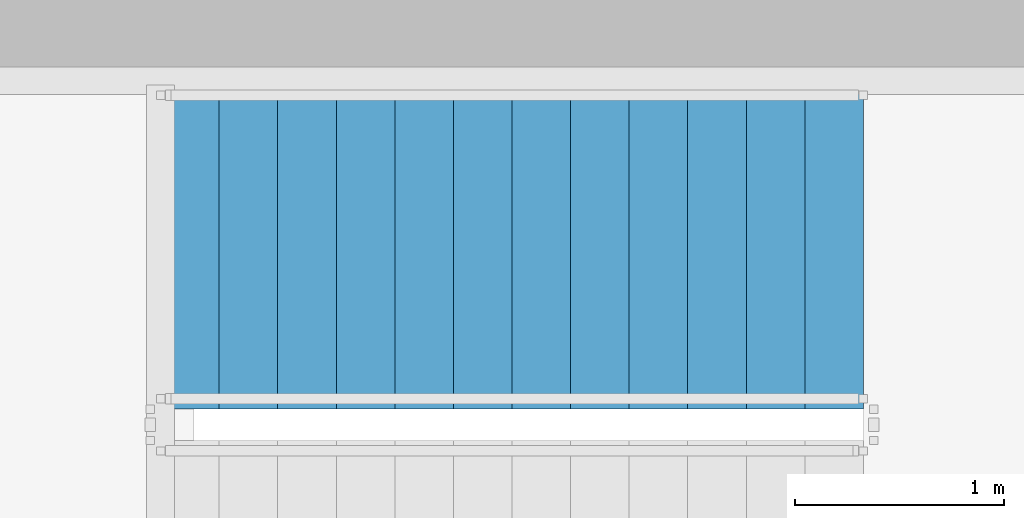
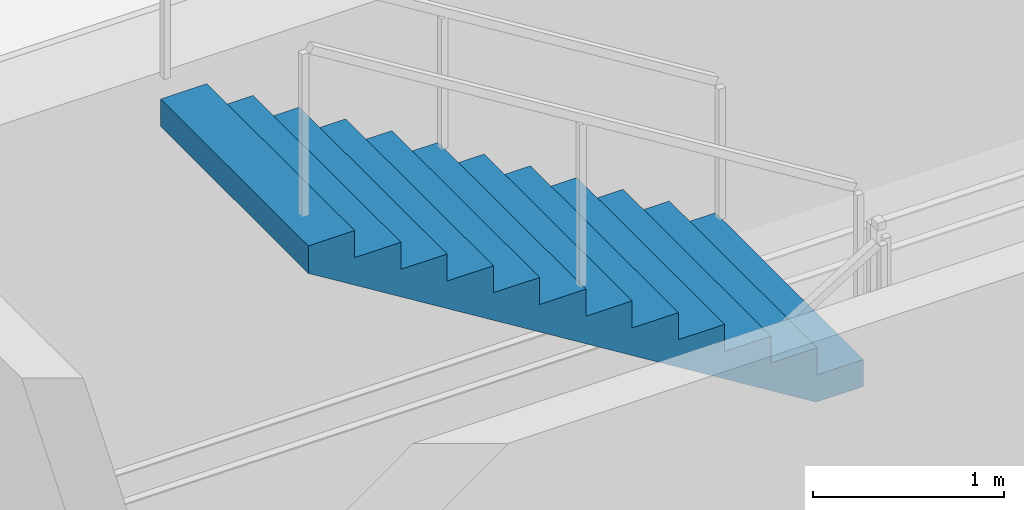
# One storey, part 13 of 14: 1 stair flight, 1 element without a shape of its own.
"""IFC4 building model written with IfcOpenShell, lengths in metres."""

from ifc_helpers import new_model, si_unit, direction, frame, origin, place, context, subcontext, project, spatial, polyline, outline, extrude, material, type_object, element, aggregate, save


model = new_model("IFC4")

# Units and contexts
model_context = context("Model", 3, precision=1e-05, world=origin(), true_north=direction((0.0, 1.0)))
body_context = subcontext(model_context, "Body", "Model", "MODEL_VIEW")
ifc_project = project(units=[si_unit("LENGTHUNIT", "METRE"), si_unit("AREAUNIT", "SQUARE_METRE"), si_unit("VOLUMEUNIT", "CUBIC_METRE"), si_unit("PLANEANGLEUNIT", "RADIAN"), si_unit("MASSUNIT", "GRAM", prefix="KILO")], contexts=[model_context])

# Site, building, storey
site_placement = place(None, origin())
site = spatial("IfcSite", under=ifc_project, at=site_placement, CompositionType="ELEMENT")
building_placement = place(site_placement, origin())
building = spatial("IfcBuilding", under=site, at=building_placement, Name="Kazma Halo Residences", CompositionType="ELEMENT")
storey_placement = place(building_placement, frame((0.0, 0.0, 351.5)))
storey = spatial("IfcBuildingStorey", under=building, at=storey_placement, Name="L88", CompositionType="ELEMENT", Elevation=351.5)

# Stair, stair flight
ifc_material = material(Name="Concrete C50/60", Category="concrete")
stair_type = type_object("IfcStairType", Name="STR-CRWN", PredefinedType="HALF_TURN_STAIR", material=ifc_material)
stair_placement = place(storey_placement, origin())
stair = element("IfcStair", 1, at=stair_placement, inside=storey, type_object=stair_type, Name="L88 Core exit stair ST-02", PredefinedType="HALF_TURN_STAIR")
stair_flight_type = type_object("IfcStairFlightType", Name="STR-CRWN-FLT", PredefinedType="STRAIGHT", material=ifc_material)
stair_flight_placement = place(storey_placement, frame((56.56005859375, 49.22509765625, 2.25), z_axis=(0.0, 0.0, 1.0), x_axis=(-1.0, 0.0, 0.0)))
stair_flight = element("IfcStairFlight", 2, at=stair_flight_placement, type_object=stair_flight_type, Name="ST-02 flight 2", NumberOfRisers=13, NumberOfTreads=12, PredefinedType="STRAIGHT", RiserHeight=0.173076923, TreadLength=0.28, context=body_context, shape_type="SweptSolid", body=[
    extrude(outline(polyline([(0.0, 0.0), (0.0, 0.173095703125), (0.280029296875, 0.173095703125), (0.280029296875, 0.34619140625), (0.56005859375, 0.34619140625), (0.56005859375, 0.519287109375), (0.840087890625, 0.519287109375), (0.840087890625, 0.6923828125), (1.1201171875, 0.6923828125), (1.1201171875, 0.865478515625), (1.39990234375, 0.865478515625), (1.39990234375, 1.03857421875), (1.679931640625, 1.03857421875), (1.679931640625, 1.21142578125), (1.9599609375, 1.21142578125), (1.9599609375, 1.384521484375), (2.239990234375, 1.384521484375), (2.239990234375, 1.5576171875), (2.52001953125, 1.5576171875), (2.52001953125, 1.730712890625), (2.800048828125, 1.730712890625), (2.800048828125, 1.90380859375), (3.080078125, 1.90380859375), (3.080078125, 2.076904296875), (3.360107421875, 2.076904296875), (3.360107421875, 2.25), (3.360107421875, 1.900634765625), (0.28515625, 0.0), (0.0, 0.0)])), frame((0.0, 0.77490234375, 0.0), z_axis=(0.0, -1.0, 0.0), x_axis=(1.0, 0.0, 0.0)), (0.0, 0.0, 1.0), 1.550048828125),
])
aggregate(stair, [stair_flight])

save(model, "model.ifc")
